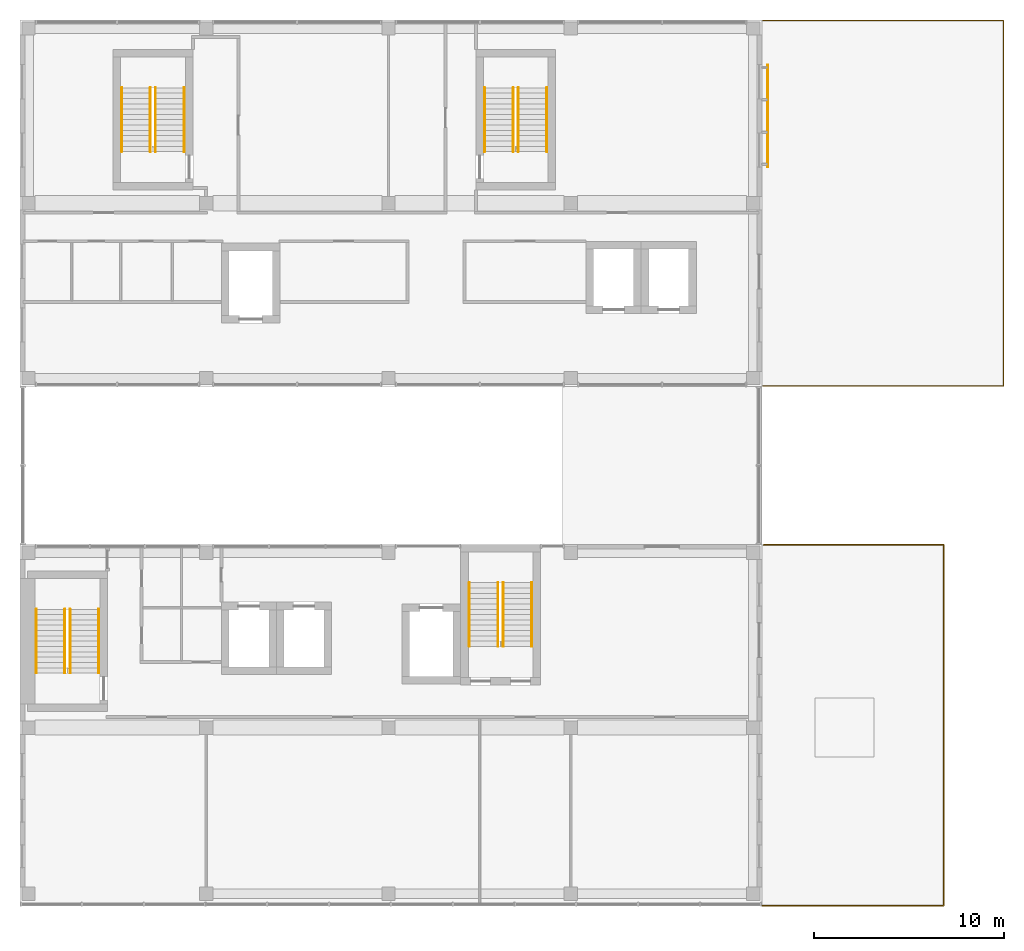
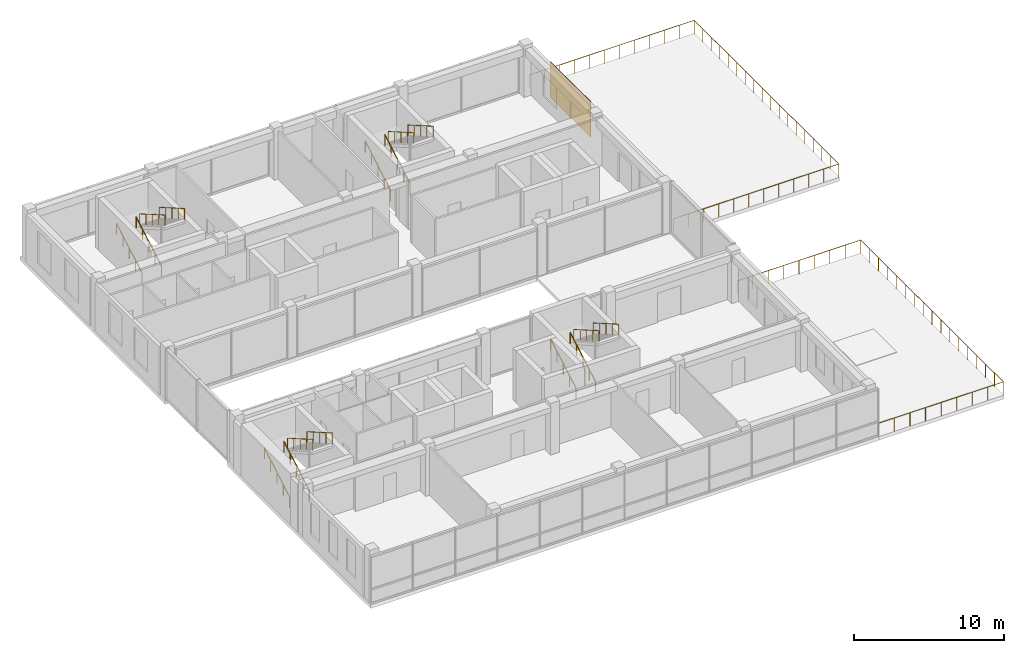
# One storey, part 22 of 27: 18 railings, 1 shading device.
"""IFC4 building model written with IfcOpenShell, lengths in metres."""

import ifcopenshell
import ifcopenshell.guid

model = None  # the IFC model being written
_history = None  # IfcOwnerHistory: only IFC2X3 demands one
_inside = {}  # id of a spatial element -> (the spatial element, [elements in it])
_under = {}  # id of a project, library or spatial element -> (it, [spatial elements below it])
_declared = {}  # id of a project -> (the project, [libraries it declares])
_typed = {}  # id of a type object -> (the type object, [elements of that type])
_made_of = {}  # id of a material, layer set ... -> (it, [elements and type objects made of it])


def new_model(schema):
    """Start an empty IFC model of exactly this schema.

    Asked for "IFC4X3", IfcOpenShell would pick the latest addendum, in which some entities
    have other attributes; the version numbers below select the first issue.
    IFC2X3 requires an IfcOwnerHistory on every rooted entity: one is made here for all.
    """
    global model, _history
    if schema == "IFC4X3":
        model = ifcopenshell.file(schema_version=(4, 3, 0, 0))
    else:
        model = ifcopenshell.file(schema=schema)
    _inside.clear()
    _under.clear()
    _declared.clear()
    _typed.clear()
    _made_of.clear()
    _history = None
    if model.schema == "IFC2X3":
        org = make("IfcOrganization", Name="unknown")
        user = make(
            "IfcPersonAndOrganization",
            ThePerson=make("IfcPerson", FamilyName="unknown"),
            TheOrganization=org,
        )
        app = make(
            "IfcApplication",
            ApplicationDeveloper=org,
            Version="unknown",
            ApplicationFullName="unknown",
            ApplicationIdentifier="unknown",
        )
        _history = make(
            "IfcOwnerHistory",
            OwningUser=user,
            OwningApplication=app,
            ChangeAction="ADDED",
            CreationDate=0,
        )
    return model


def make(cls, **values):
    """One entity of the class cls with the attributes given. An attribute that is None is left unset."""
    return model.create_entity(
        cls, **{name: value for name, value in values.items() if value is not None}
    )


def rooted(cls, **values):
    """An entity with a GlobalId (a new one), such as an element, a storey or a relation."""
    return make(cls, GlobalId=ifcopenshell.guid.new(), OwnerHistory=_history, **values)


def si_unit(unit_type, name, prefix=None):
    """IfcSIUnit, for example si_unit("LENGTHUNIT", "METRE", prefix="MILLI")."""
    return make("IfcSIUnit", UnitType=unit_type, Prefix=prefix, Name=name)


def assignment(units):
    """IfcUnitAssignment: the units of a project."""
    return None if units is None else make("IfcUnitAssignment", Units=units)


def point(xyz):
    """IfcCartesianPoint."""
    return None if xyz is None else make("IfcCartesianPoint", Coordinates=xyz)


def direction(xyz):
    """IfcDirection."""
    return None if xyz is None else make("IfcDirection", DirectionRatios=xyz)


def frame(location, z_axis=None, x_axis=None):
    """IfcAxis2Placement3D, a coordinate frame: its origin and axes. An axis left out is left unset."""
    return make(
        "IfcAxis2Placement3D",
        Location=point(location),
        Axis=direction(z_axis),
        RefDirection=direction(x_axis),
    )


def frame_2d(location, x_axis=None):
    """IfcAxis2Placement2D, a coordinate frame in the plane: its origin and x axis."""
    return make(
        "IfcAxis2Placement2D", Location=point(location), RefDirection=direction(x_axis)
    )


def origin():
    """The frame at (0, 0, 0) with its axes left unset."""
    return frame((0.0, 0.0, 0.0))


def origin_2d():
    """The frame at (0, 0) in the plane with its x axis left unset."""
    return frame_2d((0.0, 0.0))


def place(relative_to, where):
    """IfcLocalPlacement: puts the frame where relative to a parent placement (None: the world)."""
    return make(
        "IfcLocalPlacement", PlacementRelTo=relative_to, RelativePlacement=where
    )


def context(
    kind, dimensions, precision=None, world=None, true_north=None, identifier=None
):
    """IfcGeometricRepresentationContext, for example the 3D "Model" context."""
    return make(
        "IfcGeometricRepresentationContext",
        ContextIdentifier=identifier,
        ContextType=kind,
        CoordinateSpaceDimension=dimensions,
        Precision=precision,
        WorldCoordinateSystem=world,
        TrueNorth=true_north,
    )


def subcontext(parent, identifier, kind, view, scale=None):
    """IfcGeometricRepresentationSubContext, for example "Body" below "Model"."""
    return make(
        "IfcGeometricRepresentationSubContext",
        ContextIdentifier=identifier,
        ContextType=kind,
        ParentContext=parent,
        TargetScale=scale,
        TargetView=view,
    )


def project(units=None, contexts=None):
    """IfcProject with its units and contexts."""
    return rooted(
        "IfcProject",
        Name="project",
        RepresentationContexts=contexts,
        UnitsInContext=assignment(units),
    )


def spatial(cls, under=None, at=None, **own):
    """A site, building, storey or space (cls), placed at a placement, below another one or the project."""
    s = rooted(cls, ObjectPlacement=at, **own)
    if under is not None:
        _under.setdefault(under.id(), (under, []))[1].append(s)
    return s


def profile(cls, at=None, kind="AREA", **sizes):
    """A parametric profile (cls). Its sizes go by their IFC names, for example OverallWidth=200.0."""
    return make(cls, ProfileType=kind, Position=at, **sizes)


def rectangle(**sizes):
    """IfcRectangleProfileDef."""
    return profile("IfcRectangleProfileDef", **sizes)


def circle(**sizes):
    """IfcCircleProfileDef."""
    return profile("IfcCircleProfileDef", **sizes)


def extrude(swept, where, along, depth):
    """IfcExtrudedAreaSolid: the profile swept, set in the frame where, extruded along a direction by depth."""
    return make(
        "IfcExtrudedAreaSolid",
        SweptArea=swept,
        Position=where,
        ExtrudedDirection=direction(along),
        Depth=depth,
    )


def shape(context_of_items, identifier, shape_type, items):
    """IfcShapeRepresentation: the items that make up one representation, for example the "Body"."""
    return make(
        "IfcShapeRepresentation",
        ContextOfItems=context_of_items,
        RepresentationIdentifier=identifier,
        RepresentationType=shape_type,
        Items=items,
    )


def material(Name=None, Category=None):
    """IfcMaterial."""
    return make("IfcMaterial", Name=Name, Category=Category)


def made_of(thing, what):
    """Note that an element or type object is made of a material, layer set ...; save() writes the relation."""
    if what is not None:
        _made_of.setdefault(what.id(), (what, []))[1].append(thing)
    return thing


def type_object(cls, material=None, **own):
    """A type object (cls), such as IfcWallType, which elements share."""
    return made_of(rooted(cls, **own), material)


def element(
    cls,
    number,
    at=None,
    inside=None,
    cuts=None,
    type_object=None,
    material=None,
    context=None,
    identifier="Body",
    shape_type=None,
    held_by="IfcProductDefinitionShape",
    body=None,
    shapes=None,
    **own,
):
    """One element of the class cls, such as IfcWall. Its Tag is "e" and its number.

    at: its placement. inside: the storey or other place that contains it. cuts: it is an
    opening in that element (IfcRelVoidsElement). A single representation is given by context,
    identifier, shape_type and body (its items); several are given by shapes. held_by: the class
    of the entity that holds the representations. save() writes the other relations.
    """
    e = rooted(cls, Tag="e%d" % number, ObjectPlacement=at, **own)
    if body is not None:
        shapes = [shape(context, identifier, shape_type, body)]
    if shapes is not None:
        e.Representation = make(held_by, Representations=shapes)
    if inside is not None:
        _inside.setdefault(inside.id(), (inside, []))[1].append(e)
    if cuts is not None:
        rooted(
            "IfcRelVoidsElement", RelatingBuildingElement=cuts, RelatedOpeningElement=e
        )
    if type_object is not None:
        _typed.setdefault(type_object.id(), (type_object, []))[1].append(e)
    return made_of(e, material)


def aggregate(whole, parts):
    """IfcRelAggregates: a whole, such as a stair, and the parts it consists of."""
    return rooted("IfcRelAggregates", RelatingObject=whole, RelatedObjects=parts)


def save(model, path):
    """Write the relations noted so far, then the file.

    IfcRelAggregates (storeys below a building ...), IfcRelContainedInSpatialStructure (elements
    in a storey), IfcRelDefinesByType, IfcRelAssociatesMaterial and IfcRelDeclares: one each for
    every whole, place, type object, material and project.
    """
    for whole, parts in _under.values():
        aggregate(whole, parts)
    for where, things in _inside.values():
        rooted(
            "IfcRelContainedInSpatialStructure",
            RelatedElements=things,
            RelatingStructure=where,
        )
    for kind, things in _typed.values():
        rooted("IfcRelDefinesByType", RelatedObjects=things, RelatingType=kind)
    for what, things in _made_of.values():
        rooted("IfcRelAssociatesMaterial", RelatedObjects=things, RelatingMaterial=what)
    for by, libraries in _declared.values():
        rooted("IfcRelDeclares", RelatingContext=by, RelatedDefinitions=libraries)
    model.write(path)


model = new_model("IFC4")

# Units and contexts
model_context = context("Model", 3, precision=1e-05, world=origin(), true_north=direction((0.0, 1.0)))
body_context = subcontext(model_context, "Body", "Model", "MODEL_VIEW")
ifc_project = project(units=[si_unit("LENGTHUNIT", "METRE"), si_unit("AREAUNIT", "SQUARE_METRE"), si_unit("VOLUMEUNIT", "CUBIC_METRE"), si_unit("PLANEANGLEUNIT", "RADIAN"), si_unit("MASSUNIT", "GRAM", prefix="KILO")], contexts=[model_context])

# Site, building, storey
site_placement = place(None, origin())
site = spatial("IfcSite", under=ifc_project, at=site_placement, CompositionType="ELEMENT")
building_placement = place(site_placement, origin())
building = spatial("IfcBuilding", under=site, at=building_placement, Name="Nzadi Deep Aquarium and Research Tower", CompositionType="ELEMENT")
storey_placement = place(building_placement, frame((0.0, 0.0, 69.699951171875)))
storey = spatial("IfcBuildingStorey", under=building, at=storey_placement, Name="L14", CompositionType="ELEMENT", Elevation=69.699951171875)

# Railings
ifc_material_1 = material(Name="Stainless steel 1.4301", Category="steel")
railing_type_1 = type_object("IfcRailingType", Name="Guard 1100 stainless steel", PredefinedType="GUARDRAIL", material=ifc_material_1)
railing_1_placement = place(storey_placement, frame((38.85009765625, -0.169921875, 0.0)))
element("IfcRailing", 1, at=railing_1_placement, inside=storey, type_object=railing_type_1, Name="Guard", PredefinedType="GUARDRAIL", context=body_context, shape_type="SweptSolid", body=[
    extrude(circle(Radius=0.02392578125, at=origin_2d()), frame((0.0, 0.0, 1.076171875), z_axis=(1.0, 0.0, 0.0), x_axis=(0.0, 1.0, 0.0)), (0.0, 0.0, 1.0), 9.56982421875),
    extrude(circle(Radius=0.02392578125, at=origin_2d()), frame((9.56982421875, 0.0, 1.076171875), z_axis=(0.0, 1.0, 0.0), x_axis=(-1.0, 0.0, 0.0)), (0.0, 0.0, 1.0), 18.989990234375),
    extrude(circle(Radius=0.02392578125, at=origin_2d()), frame((9.56982421875, 18.989990234375, 1.076171875), z_axis=(-1.0, 0.0, 0.0), x_axis=(0.0, -1.0, 0.0)), (0.0, 0.0, 1.0), 9.469970703125),
    extrude(circle(Radius=0.02099609375, at=origin_2d()), origin(), (0.0, 0.0, 1.0), 1.052001953125),
    extrude(circle(Radius=0.02099609375, at=origin_2d()), frame((1.1962890625, 0.0, 0.0)), (0.0, 0.0, 1.0), 1.052001953125),
    extrude(circle(Radius=0.02099609375, at=origin_2d()), frame((2.392578125, 0.0, 0.0)), (0.0, 0.0, 1.0), 1.052001953125),
    extrude(circle(Radius=0.02099609375, at=origin_2d()), frame((3.588623046875, 0.0, 0.0)), (0.0, 0.0, 1.0), 1.052001953125),
    extrude(circle(Radius=0.02099609375, at=origin_2d()), frame((4.784912109375, 0.0, 0.0)), (0.0, 0.0, 1.0), 1.052001953125),
    extrude(circle(Radius=0.02099609375, at=origin_2d()), frame((5.981201171875, 0.0, 0.0)), (0.0, 0.0, 1.0), 1.052001953125),
    extrude(circle(Radius=0.02099609375, at=origin_2d()), frame((7.17724609375, 0.0, 0.0)), (0.0, 0.0, 1.0), 1.052001953125),
    extrude(circle(Radius=0.02099609375, at=origin_2d()), frame((8.37353515625, 0.0, 0.0)), (0.0, 0.0, 1.0), 1.052001953125),
    extrude(circle(Radius=0.02099609375, at=origin_2d()), frame((9.56982421875, 0.0, 0.0)), (0.0, 0.0, 1.0), 1.052001953125),
    extrude(circle(Radius=0.02099609375, at=origin_2d()), frame((9.56982421875, 1.186767578125, 0.0)), (0.0, 0.0, 1.0), 1.052001953125),
    extrude(circle(Radius=0.02099609375, at=origin_2d()), frame((9.56982421875, 2.373779296875, 0.0)), (0.0, 0.0, 1.0), 1.052001953125),
    extrude(circle(Radius=0.02099609375, at=origin_2d()), frame((9.56982421875, 3.560546875, 0.0)), (0.0, 0.0, 1.0), 1.052001953125),
    extrude(circle(Radius=0.02099609375, at=origin_2d()), frame((9.56982421875, 4.74755859375, 0.0)), (0.0, 0.0, 1.0), 1.052001953125),
    extrude(circle(Radius=0.02099609375, at=origin_2d()), frame((9.56982421875, 5.934326171875, 0.0)), (0.0, 0.0, 1.0), 1.052001953125),
    extrude(circle(Radius=0.02099609375, at=origin_2d()), frame((9.56982421875, 7.121337890625, 0.0)), (0.0, 0.0, 1.0), 1.052001953125),
    extrude(circle(Radius=0.02099609375, at=origin_2d()), frame((9.56982421875, 8.30810546875, 0.0)), (0.0, 0.0, 1.0), 1.052001953125),
    extrude(circle(Radius=0.02099609375, at=origin_2d()), frame((9.56982421875, 9.4951171875, 0.0)), (0.0, 0.0, 1.0), 1.052001953125),
    extrude(circle(Radius=0.02099609375, at=origin_2d()), frame((9.56982421875, 10.681884765625, 0.0)), (0.0, 0.0, 1.0), 1.052001953125),
    extrude(circle(Radius=0.02099609375, at=origin_2d()), frame((9.56982421875, 11.86865234375, 0.0)), (0.0, 0.0, 1.0), 1.052001953125),
    extrude(circle(Radius=0.02099609375, at=origin_2d()), frame((9.56982421875, 13.0556640625, 0.0)), (0.0, 0.0, 1.0), 1.052001953125),
    extrude(circle(Radius=0.02099609375, at=origin_2d()), frame((9.56982421875, 14.242431640625, 0.0)), (0.0, 0.0, 1.0), 1.052001953125),
    extrude(circle(Radius=0.02099609375, at=origin_2d()), frame((9.56982421875, 15.429443359375, 0.0)), (0.0, 0.0, 1.0), 1.052001953125),
    extrude(circle(Radius=0.02099609375, at=origin_2d()), frame((9.56982421875, 16.6162109375, 0.0)), (0.0, 0.0, 1.0), 1.052001953125),
    extrude(circle(Radius=0.02099609375, at=origin_2d()), frame((9.56982421875, 17.80322265625, 0.0)), (0.0, 0.0, 1.0), 1.052001953125),
    extrude(circle(Radius=0.02099609375, at=origin_2d()), frame((9.56982421875, 18.989990234375, 0.0)), (0.0, 0.0, 1.0), 1.052001953125),
    extrude(circle(Radius=0.02099609375, at=origin_2d()), frame((8.385986328125, 18.989990234375, 0.0)), (0.0, 0.0, 1.0), 1.052001953125),
    extrude(circle(Radius=0.02099609375, at=origin_2d()), frame((7.202392578125, 18.989990234375, 0.0)), (0.0, 0.0, 1.0), 1.052001953125),
    extrude(circle(Radius=0.02099609375, at=origin_2d()), frame((6.0185546875, 18.989990234375, 0.0)), (0.0, 0.0, 1.0), 1.052001953125),
    extrude(circle(Radius=0.02099609375, at=origin_2d()), frame((4.8349609375, 18.989990234375, 0.0)), (0.0, 0.0, 1.0), 1.052001953125),
    extrude(circle(Radius=0.02099609375, at=origin_2d()), frame((3.651123046875, 18.989990234375, 0.0)), (0.0, 0.0, 1.0), 1.052001953125),
    extrude(circle(Radius=0.02099609375, at=origin_2d()), frame((2.46728515625, 18.989990234375, 0.0)), (0.0, 0.0, 1.0), 1.052001953125),
    extrude(circle(Radius=0.02099609375, at=origin_2d()), frame((1.28369140625, 18.989990234375, 0.0)), (0.0, 0.0, 1.0), 1.052001953125),
    extrude(circle(Radius=0.02099609375, at=origin_2d()), frame((0.099853515625, 18.989990234375, 0.0)), (0.0, 0.0, 1.0), 1.052001953125),
])
railing_2_placement = place(storey_placement, frame((38.89990234375, 27.179931640625, 0.0)))
element("IfcRailing", 2, at=railing_2_placement, inside=storey, type_object=railing_type_1, Name="Guard", PredefinedType="GUARDRAIL", context=body_context, shape_type="SweptSolid", body=[
    extrude(circle(Radius=0.02392578125, at=origin_2d()), frame((0.0, 0.0, 1.076171875), z_axis=(1.0, 0.0, 0.0), x_axis=(0.0, 1.0, 0.0)), (0.0, 0.0, 1.0), 12.670166015625),
    extrude(circle(Radius=0.02392578125, at=origin_2d()), frame((12.670166015625, 0.0, 1.076171875), z_axis=(0.0, 1.0, 0.0), x_axis=(-1.0, 0.0, 0.0)), (0.0, 0.0, 1.0), 19.239990234375),
    extrude(circle(Radius=0.02392578125, at=origin_2d()), frame((12.670166015625, 19.239990234375, 1.076171875), z_axis=(-1.0, 0.0, 0.0), x_axis=(0.0, -1.0, 0.0)), (0.0, 0.0, 1.0), 12.670166015625),
    extrude(circle(Radius=0.02099609375, at=origin_2d()), origin(), (0.0, 0.0, 1.0), 1.052001953125),
    extrude(circle(Radius=0.02099609375, at=origin_2d()), frame((1.15185546875, 0.0, 0.0)), (0.0, 0.0, 1.0), 1.052001953125),
    extrude(circle(Radius=0.02099609375, at=origin_2d()), frame((2.3037109375, 0.0, 0.0)), (0.0, 0.0, 1.0), 1.052001953125),
    extrude(circle(Radius=0.02099609375, at=origin_2d()), frame((3.45556640625, 0.0, 0.0)), (0.0, 0.0, 1.0), 1.052001953125),
    extrude(circle(Radius=0.02099609375, at=origin_2d()), frame((4.607421875, 0.0, 0.0)), (0.0, 0.0, 1.0), 1.052001953125),
    extrude(circle(Radius=0.02099609375, at=origin_2d()), frame((5.75927734375, 0.0, 0.0)), (0.0, 0.0, 1.0), 1.052001953125),
    extrude(circle(Radius=0.02099609375, at=origin_2d()), frame((6.910888671875, 0.0, 0.0)), (0.0, 0.0, 1.0), 1.052001953125),
    extrude(circle(Radius=0.02099609375, at=origin_2d()), frame((8.062744140625, 0.0, 0.0)), (0.0, 0.0, 1.0), 1.052001953125),
    extrude(circle(Radius=0.02099609375, at=origin_2d()), frame((9.214599609375, 0.0, 0.0)), (0.0, 0.0, 1.0), 1.052001953125),
    extrude(circle(Radius=0.02099609375, at=origin_2d()), frame((10.366455078125, 0.0, 0.0)), (0.0, 0.0, 1.0), 1.052001953125),
    extrude(circle(Radius=0.02099609375, at=origin_2d()), frame((11.518310546875, 0.0, 0.0)), (0.0, 0.0, 1.0), 1.052001953125),
    extrude(circle(Radius=0.02099609375, at=origin_2d()), frame((12.670166015625, 0.0, 0.0)), (0.0, 0.0, 1.0), 1.052001953125),
    extrude(circle(Radius=0.02099609375, at=origin_2d()), frame((12.670166015625, 1.1318359375, 0.0)), (0.0, 0.0, 1.0), 1.052001953125),
    extrude(circle(Radius=0.02099609375, at=origin_2d()), frame((12.670166015625, 2.263427734375, 0.0)), (0.0, 0.0, 1.0), 1.052001953125),
    extrude(circle(Radius=0.02099609375, at=origin_2d()), frame((12.670166015625, 3.395263671875, 0.0)), (0.0, 0.0, 1.0), 1.052001953125),
    extrude(circle(Radius=0.02099609375, at=origin_2d()), frame((12.670166015625, 4.527099609375, 0.0)), (0.0, 0.0, 1.0), 1.052001953125),
    extrude(circle(Radius=0.02099609375, at=origin_2d()), frame((12.670166015625, 5.658935546875, 0.0)), (0.0, 0.0, 1.0), 1.052001953125),
    extrude(circle(Radius=0.02099609375, at=origin_2d()), frame((12.670166015625, 6.79052734375, 0.0)), (0.0, 0.0, 1.0), 1.052001953125),
    extrude(circle(Radius=0.02099609375, at=origin_2d()), frame((12.670166015625, 7.92236328125, 0.0)), (0.0, 0.0, 1.0), 1.052001953125),
    extrude(circle(Radius=0.02099609375, at=origin_2d()), frame((12.670166015625, 9.05419921875, 0.0)), (0.0, 0.0, 1.0), 1.052001953125),
    extrude(circle(Radius=0.02099609375, at=origin_2d()), frame((12.670166015625, 10.185791015625, 0.0)), (0.0, 0.0, 1.0), 1.052001953125),
    extrude(circle(Radius=0.02099609375, at=origin_2d()), frame((12.670166015625, 11.317626953125, 0.0)), (0.0, 0.0, 1.0), 1.052001953125),
    extrude(circle(Radius=0.02099609375, at=origin_2d()), frame((12.670166015625, 12.449462890625, 0.0)), (0.0, 0.0, 1.0), 1.052001953125),
    extrude(circle(Radius=0.02099609375, at=origin_2d()), frame((12.670166015625, 13.5810546875, 0.0)), (0.0, 0.0, 1.0), 1.052001953125),
    extrude(circle(Radius=0.02099609375, at=origin_2d()), frame((12.670166015625, 14.712890625, 0.0)), (0.0, 0.0, 1.0), 1.052001953125),
    extrude(circle(Radius=0.02099609375, at=origin_2d()), frame((12.670166015625, 15.8447265625, 0.0)), (0.0, 0.0, 1.0), 1.052001953125),
    extrude(circle(Radius=0.02099609375, at=origin_2d()), frame((12.670166015625, 16.9765625, 0.0)), (0.0, 0.0, 1.0), 1.052001953125),
    extrude(circle(Radius=0.02099609375, at=origin_2d()), frame((12.670166015625, 18.108154296875, 0.0)), (0.0, 0.0, 1.0), 1.052001953125),
    extrude(circle(Radius=0.02099609375, at=origin_2d()), frame((12.670166015625, 19.239990234375, 0.0)), (0.0, 0.0, 1.0), 1.052001953125),
    extrude(circle(Radius=0.02099609375, at=origin_2d()), frame((11.518310546875, 19.239990234375, 0.0)), (0.0, 0.0, 1.0), 1.052001953125),
    extrude(circle(Radius=0.02099609375, at=origin_2d()), frame((10.366455078125, 19.239990234375, 0.0)), (0.0, 0.0, 1.0), 1.052001953125),
    extrude(circle(Radius=0.02099609375, at=origin_2d()), frame((9.214599609375, 19.239990234375, 0.0)), (0.0, 0.0, 1.0), 1.052001953125),
    extrude(circle(Radius=0.02099609375, at=origin_2d()), frame((8.062744140625, 19.239990234375, 0.0)), (0.0, 0.0, 1.0), 1.052001953125),
    extrude(circle(Radius=0.02099609375, at=origin_2d()), frame((6.910888671875, 19.239990234375, 0.0)), (0.0, 0.0, 1.0), 1.052001953125),
    extrude(circle(Radius=0.02099609375, at=origin_2d()), frame((5.75927734375, 19.239990234375, 0.0)), (0.0, 0.0, 1.0), 1.052001953125),
    extrude(circle(Radius=0.02099609375, at=origin_2d()), frame((4.607421875, 19.239990234375, 0.0)), (0.0, 0.0, 1.0), 1.052001953125),
    extrude(circle(Radius=0.02099609375, at=origin_2d()), frame((3.45556640625, 19.239990234375, 0.0)), (0.0, 0.0, 1.0), 1.052001953125),
    extrude(circle(Radius=0.02099609375, at=origin_2d()), frame((2.3037109375, 19.239990234375, 0.0)), (0.0, 0.0, 1.0), 1.052001953125),
    extrude(circle(Radius=0.02099609375, at=origin_2d()), frame((1.15185546875, 19.239990234375, 0.0)), (0.0, 0.0, 1.0), 1.052001953125),
    extrude(circle(Radius=0.02099609375, at=origin_2d()), frame((0.0, 19.239990234375, 0.0)), (0.0, 0.0, 1.0), 1.052001953125),
])
ifc_material_2 = material(Name="Stainless steel 1.4301", Category="steel")
railing_type_2 = type_object("IfcRailingType", Name="HANDRAIL 900", PredefinedType="HANDRAIL", material=ifc_material_2)
for number, where, name in (
    (3, (0.659912109375, 12.070068359375, 0.16162109375), "HR-ST-Z1-SW-L14-F1"),
    (4, (2.1650390625, 12.070068359375, 0.16162109375), "HR-ST-Z1-SW-L14-F1W"),
):
    element("IfcRailing", number, at=place(storey_placement, frame(where)), inside=storey, type_object=railing_type_2, Name=name, PredefinedType="HANDRAIL", context=body_context, shape_type="SweptSolid", body=[
        extrude(circle(Radius=0.02392578125, at=origin_2d()), frame((0.0, 0.0, 0.8759765625), z_axis=(0.0, 0.866175107563, 0.499740615757), x_axis=(-1.0, 0.0, 0.0)), (0.0, 0.0, 1.0), 3.87890625),
        extrude(circle(Radius=0.02099609375, at=origin_2d()), origin(), (0.0, 0.0, 1.0), 0.851806640625),
        extrude(circle(Radius=0.02099609375, at=origin_2d()), frame((0.0, 0.83984375, 0.484619140625)), (0.0, 0.0, 1.0), 0.851806640625),
        extrude(circle(Radius=0.02099609375, at=origin_2d()), frame((0.0, 1.679931640625, 0.96923828125)), (0.0, 0.0, 1.0), 0.851806640625),
        extrude(circle(Radius=0.02099609375, at=origin_2d()), frame((0.0, 2.52001953125, 1.453857421875)), (0.0, 0.0, 1.0), 0.851806640625),
        extrude(circle(Radius=0.02099609375, at=origin_2d()), frame((0.0, 3.35986328125, 1.9384765625)), (0.0, 0.0, 1.0), 0.851806640625),
    ])
for number, where, name in (
    (5, (3.93994140625, 15.429931640625, 2.261474609375), "HR-ST-Z1-SW-L14-F2"),
    (6, (2.43505859375, 15.429931640625, 2.261474609375), "HR-ST-Z1-SW-L14-F2W"),
):
    element("IfcRailing", number, at=place(storey_placement, frame(where)), inside=storey, type_object=railing_type_2, Name=name, PredefinedType="HANDRAIL", context=body_context, shape_type="SweptSolid", body=[
        extrude(circle(Radius=0.02392578125, at=origin_2d()), frame((0.0, 0.0, 0.8759765625), z_axis=(0.0, -0.866175107563, 0.499740615757), x_axis=(1.0, 0.0, 0.0)), (0.0, 0.0, 1.0), 3.87890625),
        extrude(circle(Radius=0.02099609375, at=origin_2d()), origin(), (0.0, 0.0, 1.0), 0.851806640625),
        extrude(circle(Radius=0.02099609375, at=origin_2d()), frame((0.0, -0.83984375, 0.484619140625)), (0.0, 0.0, 1.0), 0.851806640625),
        extrude(circle(Radius=0.02099609375, at=origin_2d()), frame((0.0, -1.679931640625, 0.96923828125)), (0.0, 0.0, 1.0), 0.851806640625),
        extrude(circle(Radius=0.02099609375, at=origin_2d()), frame((0.0, -2.52001953125, 1.453857421875)), (0.0, 0.0, 1.0), 0.851806640625),
        extrude(circle(Radius=0.02099609375, at=origin_2d()), frame((0.0, -3.35986328125, 1.9384765625)), (0.0, 0.0, 1.0), 0.851806640625),
    ])
for number, where, name in (
    (7, (23.4599609375, 13.469970703125, 0.16162109375), "HR-ST-Z1-SE-L14-F1"),
    (8, (24.965087890625, 13.469970703125, 0.16162109375), "HR-ST-Z1-SE-L14-F1W"),
):
    element("IfcRailing", number, at=place(storey_placement, frame(where)), inside=storey, type_object=railing_type_2, Name=name, PredefinedType="HANDRAIL", context=body_context, shape_type="SweptSolid", body=[
        extrude(circle(Radius=0.02392578125, at=origin_2d()), frame((0.0, 0.0, 0.8759765625), z_axis=(0.0, 0.866190824863, 0.499713372768), x_axis=(-1.0, 0.0, 0.0)), (0.0, 0.0, 1.0), 3.879150390625),
        extrude(circle(Radius=0.02099609375, at=origin_2d()), origin(), (0.0, 0.0, 1.0), 0.851806640625),
        extrude(circle(Radius=0.02099609375, at=origin_2d()), frame((0.0, 0.840087890625, 0.484619140625)), (0.0, 0.0, 1.0), 0.851806640625),
        extrude(circle(Radius=0.02099609375, at=origin_2d()), frame((0.0, 1.68017578125, 0.96923828125)), (0.0, 0.0, 1.0), 0.851806640625),
        extrude(circle(Radius=0.02099609375, at=origin_2d()), frame((0.0, 2.52001953125, 1.453857421875)), (0.0, 0.0, 1.0), 0.851806640625),
        extrude(circle(Radius=0.02099609375, at=origin_2d()), frame((0.0, 3.360107421875, 1.9384765625)), (0.0, 0.0, 1.0), 0.851806640625),
    ])
for number, where, name in (
    (9, (26.739990234375, 16.830078125, 2.261474609375), "HR-ST-Z1-SE-L14-F2"),
    (10, (25.235107421875, 16.830078125, 2.261474609375), "HR-ST-Z1-SE-L14-F2W"),
):
    element("IfcRailing", number, at=place(storey_placement, frame(where)), inside=storey, type_object=railing_type_2, Name=name, PredefinedType="HANDRAIL", context=body_context, shape_type="SweptSolid", body=[
        extrude(circle(Radius=0.02392578125, at=origin_2d()), frame((0.0, 0.0, 0.8759765625), z_axis=(0.0, -0.866190824863, 0.499713372768), x_axis=(1.0, 0.0, 0.0)), (0.0, 0.0, 1.0), 3.879150390625),
        extrude(circle(Radius=0.02099609375, at=origin_2d()), origin(), (0.0, 0.0, 1.0), 0.851806640625),
        extrude(circle(Radius=0.02099609375, at=origin_2d()), frame((0.0, -0.840087890625, 0.484619140625)), (0.0, 0.0, 1.0), 0.851806640625),
        extrude(circle(Radius=0.02099609375, at=origin_2d()), frame((0.0, -1.68017578125, 0.96923828125)), (0.0, 0.0, 1.0), 0.851806640625),
        extrude(circle(Radius=0.02099609375, at=origin_2d()), frame((0.0, -2.52001953125, 1.453857421875)), (0.0, 0.0, 1.0), 0.851806640625),
        extrude(circle(Radius=0.02099609375, at=origin_2d()), frame((0.0, -3.360107421875, 1.9384765625)), (0.0, 0.0, 1.0), 0.851806640625),
    ])
for number, where, name in (
    (11, (5.159912109375, 39.52001953125, 0.16162109375), "HR-ST-Z1-NW-L14-F1"),
    (12, (6.6650390625, 39.52001953125, 0.16162109375), "HR-ST-Z1-NW-L14-F1W"),
):
    element("IfcRailing", number, at=place(storey_placement, frame(where)), inside=storey, type_object=railing_type_2, Name=name, PredefinedType="HANDRAIL", context=body_context, shape_type="SweptSolid", body=[
        extrude(circle(Radius=0.02392578125, at=origin_2d()), frame((0.0, 0.0, 0.8759765625), z_axis=(0.0, 0.866175107563, 0.499740615757), x_axis=(-1.0, 0.0, 0.0)), (0.0, 0.0, 1.0), 3.87890625),
        extrude(circle(Radius=0.02099609375, at=origin_2d()), origin(), (0.0, 0.0, 1.0), 0.851806640625),
        extrude(circle(Radius=0.02099609375, at=origin_2d()), frame((0.0, 0.83984375, 0.484619140625)), (0.0, 0.0, 1.0), 0.851806640625),
        extrude(circle(Radius=0.02099609375, at=origin_2d()), frame((0.0, 1.679931640625, 0.96923828125)), (0.0, 0.0, 1.0), 0.851806640625),
        extrude(circle(Radius=0.02099609375, at=origin_2d()), frame((0.0, 2.52001953125, 1.453857421875)), (0.0, 0.0, 1.0), 0.851806640625),
        extrude(circle(Radius=0.02099609375, at=origin_2d()), frame((0.0, 3.35986328125, 1.9384765625)), (0.0, 0.0, 1.0), 0.851806640625),
    ])
for number, where, name in (
    (13, (8.43994140625, 42.8798828125, 2.261474609375), "HR-ST-Z1-NW-L14-F2"),
    (14, (6.93505859375, 42.8798828125, 2.261474609375), "HR-ST-Z1-NW-L14-F2W"),
):
    element("IfcRailing", number, at=place(storey_placement, frame(where)), inside=storey, type_object=railing_type_2, Name=name, PredefinedType="HANDRAIL", context=body_context, shape_type="SweptSolid", body=[
        extrude(circle(Radius=0.02392578125, at=origin_2d()), frame((0.0, 0.0, 0.8759765625), z_axis=(0.0, -0.866175107563, 0.499740615757), x_axis=(1.0, 0.0, 0.0)), (0.0, 0.0, 1.0), 3.87890625),
        extrude(circle(Radius=0.02099609375, at=origin_2d()), origin(), (0.0, 0.0, 1.0), 0.851806640625),
        extrude(circle(Radius=0.02099609375, at=origin_2d()), frame((0.0, -0.83984375, 0.484619140625)), (0.0, 0.0, 1.0), 0.851806640625),
        extrude(circle(Radius=0.02099609375, at=origin_2d()), frame((0.0, -1.679931640625, 0.96923828125)), (0.0, 0.0, 1.0), 0.851806640625),
        extrude(circle(Radius=0.02099609375, at=origin_2d()), frame((0.0, -2.52001953125, 1.453857421875)), (0.0, 0.0, 1.0), 0.851806640625),
        extrude(circle(Radius=0.02099609375, at=origin_2d()), frame((0.0, -3.35986328125, 1.9384765625)), (0.0, 0.0, 1.0), 0.851806640625),
    ])
for number, where, name in (
    (15, (24.260009765625, 39.52001953125, 0.16162109375), "HR-ST-Z1-NE-L14-F1"),
    (16, (25.764892578125, 39.52001953125, 0.16162109375), "HR-ST-Z1-NE-L14-F1W"),
):
    element("IfcRailing", number, at=place(storey_placement, frame(where)), inside=storey, type_object=railing_type_2, Name=name, PredefinedType="HANDRAIL", context=body_context, shape_type="SweptSolid", body=[
        extrude(circle(Radius=0.02392578125, at=origin_2d()), frame((0.0, 0.0, 0.8759765625), z_axis=(0.0, 0.866175107563, 0.499740615757), x_axis=(-1.0, 0.0, 0.0)), (0.0, 0.0, 1.0), 3.87890625),
        extrude(circle(Radius=0.02099609375, at=origin_2d()), origin(), (0.0, 0.0, 1.0), 0.851806640625),
        extrude(circle(Radius=0.02099609375, at=origin_2d()), frame((0.0, 0.83984375, 0.484619140625)), (0.0, 0.0, 1.0), 0.851806640625),
        extrude(circle(Radius=0.02099609375, at=origin_2d()), frame((0.0, 1.679931640625, 0.96923828125)), (0.0, 0.0, 1.0), 0.851806640625),
        extrude(circle(Radius=0.02099609375, at=origin_2d()), frame((0.0, 2.52001953125, 1.453857421875)), (0.0, 0.0, 1.0), 0.851806640625),
        extrude(circle(Radius=0.02099609375, at=origin_2d()), frame((0.0, 3.35986328125, 1.9384765625)), (0.0, 0.0, 1.0), 0.851806640625),
    ])
for number, where, name in (
    (17, (27.5400390625, 42.8798828125, 2.261474609375), "HR-ST-Z1-NE-L14-F2"),
    (18, (26.034912109375, 42.8798828125, 2.261474609375), "HR-ST-Z1-NE-L14-F2W"),
):
    element("IfcRailing", number, at=place(storey_placement, frame(where)), inside=storey, type_object=railing_type_2, Name=name, PredefinedType="HANDRAIL", context=body_context, shape_type="SweptSolid", body=[
        extrude(circle(Radius=0.02392578125, at=origin_2d()), frame((0.0, 0.0, 0.8759765625), z_axis=(0.0, -0.866175107563, 0.499740615757), x_axis=(1.0, 0.0, 0.0)), (0.0, 0.0, 1.0), 3.87890625),
        extrude(circle(Radius=0.02099609375, at=origin_2d()), origin(), (0.0, 0.0, 1.0), 0.851806640625),
        extrude(circle(Radius=0.02099609375, at=origin_2d()), frame((0.0, -0.83984375, 0.484619140625)), (0.0, 0.0, 1.0), 0.851806640625),
        extrude(circle(Radius=0.02099609375, at=origin_2d()), frame((0.0, -1.679931640625, 0.96923828125)), (0.0, 0.0, 1.0), 0.851806640625),
        extrude(circle(Radius=0.02099609375, at=origin_2d()), frame((0.0, -2.52001953125, 1.453857421875)), (0.0, 0.0, 1.0), 0.851806640625),
        extrude(circle(Radius=0.02099609375, at=origin_2d()), frame((0.0, -3.35986328125, 1.9384765625)), (0.0, 0.0, 1.0), 0.851806640625),
    ])

# Shading device
ifc_material_3 = material(Name="Aluminium perforated sheet", Category="aluminium")
shading_device_type = type_object("IfcShadingDeviceType", Name="Perforated screen 40 mm", PredefinedType="USERDEFINED", material=ifc_material_3)
shading_device_placement = place(storey_placement, frame((39.169921875, 41.39990234375, 0.60009765625), z_axis=(0.0, 0.0, 1.0), x_axis=(1.0, 0.0, 0.0)))
element("IfcShadingDevice", 19, at=shading_device_placement, inside=storey, type_object=shading_device_type, Name="Perforated screen L14 BE", ObjectType="Screen", PredefinedType="USERDEFINED", context=body_context, shape_type="SweptSolid", body=[
    extrude(rectangle(XDim=0.0400390625, YDim=5.39990234375, at=origin_2d()), origin(), (0.0, 0.0, 1.0), 2.89990234375),
])

save(model, "model.ifc")
